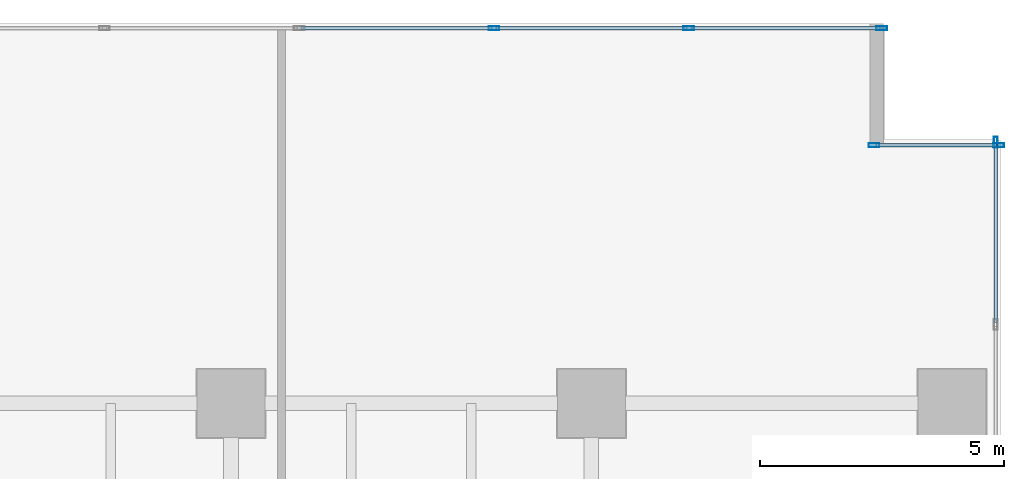
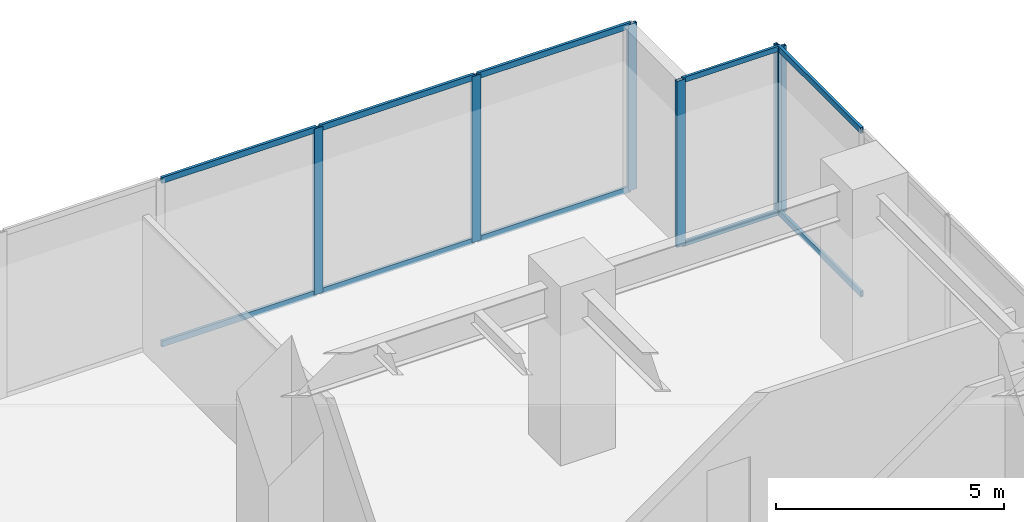
# One storey, part 22 of 33: 16 members, 3 elements without a shape of their own.
"""IFC4 building model written with IfcOpenShell, lengths in metres."""

from ifc_helpers import new_model, si_unit, direction, frame, origin, origin_2d, place, context, subcontext, project, spatial, hollow_rectangle, extrude, source, transform, mapped, material, layer, layer_set, material_profile, profile_set, type_object, type_shapes, element, aggregate, save


model = new_model("IFC4")

# Units and contexts
model_context = context("Model", 3, precision=1e-05, world=origin(), true_north=direction((0.0, 1.0)))
body_context = subcontext(model_context, "Body", "Model", "MODEL_VIEW")
ifc_project = project(units=[si_unit("LENGTHUNIT", "METRE"), si_unit("AREAUNIT", "SQUARE_METRE"), si_unit("VOLUMEUNIT", "CUBIC_METRE"), si_unit("PLANEANGLEUNIT", "RADIAN"), si_unit("MASSUNIT", "GRAM", prefix="KILO")], contexts=[model_context])

# Site, building, storey
site_placement = place(None, origin())
site = spatial("IfcSite", under=ifc_project, at=site_placement, CompositionType="ELEMENT")
building_placement = place(site_placement, origin())
building = spatial("IfcBuilding", under=site, at=building_placement, Name="Haelvirn Gate Laboratories", CompositionType="ELEMENT")
storey_placement = place(building_placement, frame((0.0, 0.0, 10.199951171875)))
storey = spatial("IfcBuildingStorey", under=building, at=storey_placement, Name="L03", CompositionType="ELEMENT", Elevation=10.199951171875)

# Curtain wall, members
ifc_material_1 = material(Name="Anodised bronze unitised aluminium & triple low-E glass", Category="aluminium")
ifc_layer_1 = layer(ifc_material_1, 0.18798828125, Name="CW-SYS-1")
ifc_layer_set_1 = layer_set([ifc_layer_1], Name="Anodised bronze unitised aluminium & triple low-E glass")
curtain_wall_type_1 = type_object("IfcCurtainWallType", Name="CW-SYS-1", PredefinedType="NOTDEFINED", material=ifc_layer_set_1)
curtain_wall_1_placement = place(storey_placement, origin())
curtain_wall_1 = element("IfcCurtainWall", 1, at=curtain_wall_1_placement, inside=storey, type_object=curtain_wall_type_1, Name="L03 Unitised Curtain Wall CW-L03-P1-E06-1", PredefinedType="NOTDEFINED")
ifc_material_2 = material(Name="Extruded aluminium 6063-T6 (anodised bronze)", Category="aluminium")
ifc_material_profile_1 = material_profile(ifc_material_2, hollow_rectangle(XDim=0.070068359375, YDim=0.159912109375, WallThickness=0.0048828125, at=origin_2d()), Name="CWT-160x70x5")
ifc_profile_set_1 = profile_set([ifc_material_profile_1], Name="Extruded aluminium 6063-T6 (anodised bronze)")
member_type_1 = type_object("IfcMemberType", Name="CWT-T160", PredefinedType="USERDEFINED", material=ifc_profile_set_1)
shared_shape_1 = source(origin(), body_context, "Body", "SweptSolid", [
    extrude(hollow_rectangle(XDim=0.070068359375, YDim=0.159912109375, WallThickness=0.0048828125, at=origin_2d()), origin(), (0.0, 0.0, 1.0), 3.880126953125),
])
member_1_placement = place(storey_placement, frame((69.43994140625, 49.300048828125, 0.03515625), z_axis=(1.0, 0.0, 0.0), x_axis=(0.0, 1.0, 0.0)))
member_1 = element("IfcMember", 2, at=member_1_placement, type_object=member_type_1, Name="CW1 transom 6.1", ObjectType="TRANSOM", PredefinedType="USERDEFINED", context=body_context, shape_type="MappedRepresentation", body=[
    mapped(shared_shape_1, transform((0.0, 0.0, 0.0), scale=1.0)),
])
member_2_placement = place(storey_placement, frame((69.43994140625, 49.300048828125, 4.4150390625), z_axis=(1.0, 0.0, 0.0), x_axis=(0.0, 1.0, 0.0)))
member_2 = element("IfcMember", 3, at=member_2_placement, type_object=member_type_1, Name="CW1 transom 6.2", ObjectType="TRANSOM", PredefinedType="USERDEFINED", context=body_context, shape_type="MappedRepresentation", body=[
    mapped(shared_shape_1, transform((0.0, 0.0, 0.0), scale=1.0)),
])
shared_shape_2 = source(origin(), body_context, "Body", "SweptSolid", [
    extrude(hollow_rectangle(XDim=0.070068359375, YDim=0.159912109375, WallThickness=0.0048828125, at=origin_2d()), origin(), (0.0, 0.0, 1.0), 3.920166015625),
])
member_3_placement = place(storey_placement, frame((61.43994140625, 49.300048828125, 0.03515625), z_axis=(1.0, 0.0, 0.0), x_axis=(0.0, 1.0, 0.0)))
member_3 = element("IfcMember", 4, at=member_3_placement, type_object=member_type_1, Name="CW1 transom 4.1", ObjectType="TRANSOM", PredefinedType="USERDEFINED", context=body_context, shape_type="MappedRepresentation", body=[
    mapped(shared_shape_2, transform((0.0, 0.0, 0.0), scale=1.0)),
])
member_4_placement = place(storey_placement, frame((61.43994140625, 49.300048828125, 4.4150390625), z_axis=(1.0, 0.0, 0.0), x_axis=(0.0, 1.0, 0.0)))
member_4 = element("IfcMember", 5, at=member_4_placement, type_object=member_type_1, Name="CW1 transom 4.2", ObjectType="TRANSOM", PredefinedType="USERDEFINED", context=body_context, shape_type="MappedRepresentation", body=[
    mapped(shared_shape_2, transform((0.0, 0.0, 0.0), scale=1.0)),
])
member_5_placement = place(storey_placement, frame((65.43994140625, 49.300048828125, 0.03515625), z_axis=(1.0, 0.0, 0.0), x_axis=(0.0, 1.0, 0.0)))
member_5 = element("IfcMember", 6, at=member_5_placement, type_object=member_type_1, Name="CW1 transom 5.1", ObjectType="TRANSOM", PredefinedType="USERDEFINED", context=body_context, shape_type="MappedRepresentation", body=[
    mapped(shared_shape_2, transform((0.0, 0.0, 0.0), scale=1.0)),
])
member_6_placement = place(storey_placement, frame((65.43994140625, 49.300048828125, 4.4150390625), z_axis=(1.0, 0.0, 0.0), x_axis=(0.0, 1.0, 0.0)))
member_6 = element("IfcMember", 7, at=member_6_placement, type_object=member_type_1, Name="CW1 transom 5.2", ObjectType="TRANSOM", PredefinedType="USERDEFINED", context=body_context, shape_type="MappedRepresentation", body=[
    mapped(shared_shape_2, transform((0.0, 0.0, 0.0), scale=1.0)),
])

ifc_layer_2 = layer(ifc_material_1, 0.181884765625, Name="CW-SYS-5")
ifc_layer_set_2 = layer_set([ifc_layer_2], Name="Anodised bronze unitised aluminium & triple low-E glass")
curtain_wall_type_2 = type_object("IfcCurtainWallType", Name="CW-SYS-5", PredefinedType="NOTDEFINED", material=ifc_layer_set_2)
curtain_wall_2_placement = place(storey_placement, origin())
curtain_wall_2 = element("IfcCurtainWall", 8, at=curtain_wall_2_placement, inside=storey, type_object=curtain_wall_type_2, Name="L03 Unitised Curtain Wall CW-L03-P1-E04-1", PredefinedType="NOTDEFINED")
ifc_material_profile_2 = material_profile(ifc_material_2, hollow_rectangle(XDim=0.06494140625, YDim=0.139892578125, WallThickness=0.00390625, at=origin_2d()), Name="CWT-140x65x4")
ifc_profile_set_2 = profile_set([ifc_material_profile_2], Name="Extruded aluminium 6063-T6 (anodised bronze)")
member_type_2 = type_object("IfcMemberType", Name="CWT-T140", PredefinedType="USERDEFINED", material=ifc_profile_set_2)
shared_shape_3 = source(origin(), body_context, "Body", "SweptSolid", [
    extrude(hollow_rectangle(XDim=0.06494140625, YDim=0.139892578125, WallThickness=0.00390625, at=origin_2d()), origin(), (0.0, 0.0, 1.0), 2.47998046875),
])
type_shapes(member_type_2, [shared_shape_3])
member_7_placement = place(storey_placement, frame((73.239990234375, 46.89990234375, 0.032470703125), z_axis=(1.0, 0.0, 0.0), x_axis=(0.0, 1.0, 0.0)))
member_7 = element("IfcMember", 9, at=member_7_placement, type_object=member_type_2, Name="CW5 transom 1.1", ObjectType="TRANSOM", PredefinedType="USERDEFINED", context=body_context, shape_type="MappedRepresentation", body=[
    mapped(shared_shape_3, transform((0.0, 0.0, 0.0), scale=1.0)),
])
member_8_placement = place(storey_placement, frame((73.239990234375, 46.89990234375, 4.41748046875), z_axis=(1.0, 0.0, 0.0), x_axis=(0.0, 1.0, 0.0)))
member_8 = element("IfcMember", 10, at=member_8_placement, type_object=member_type_2, Name="CW5 transom 1.2", ObjectType="TRANSOM", PredefinedType="USERDEFINED", context=body_context, shape_type="MappedRepresentation", body=[
    mapped(shared_shape_3, transform((0.0, 0.0, 0.0), scale=1.0)),
])

curtain_wall_3_placement = place(storey_placement, origin())
curtain_wall_3 = element("IfcCurtainWall", 11, at=curtain_wall_3_placement, inside=storey, type_object=curtain_wall_type_1, Name="L03 Unitised Curtain Wall CW-L03-P1-E03", PredefinedType="NOTDEFINED")
shared_shape_4 = source(origin(), body_context, "Body", "SweptSolid", [
    extrude(hollow_rectangle(XDim=0.070068359375, YDim=0.159912109375, WallThickness=0.0048828125, at=origin_2d()), origin(), (0.0, 0.0, 1.0), 3.663330078125),
])
type_shapes(member_type_1, [shared_shape_1, shared_shape_2, shared_shape_4])
member_9_placement = place(storey_placement, frame((75.699951171875, 43.256591796875, 0.03515625), z_axis=(0.0, 1.0, 0.0), x_axis=(-1.0, 0.0, 0.0)))
member_9 = element("IfcMember", 12, at=member_9_placement, type_object=member_type_1, Name="CW1 transom 12.1", ObjectType="TRANSOM", PredefinedType="USERDEFINED", context=body_context, shape_type="MappedRepresentation", body=[
    mapped(shared_shape_4, transform((0.0, 0.0, 0.0), scale=1.0)),
])
member_10_placement = place(storey_placement, frame((75.699951171875, 43.256591796875, 4.4150390625), z_axis=(0.0, 1.0, 0.0), x_axis=(-1.0, 0.0, 0.0)))
member_10 = element("IfcMember", 13, at=member_10_placement, type_object=member_type_1, Name="CW1 transom 12.2", ObjectType="TRANSOM", PredefinedType="USERDEFINED", context=body_context, shape_type="MappedRepresentation", body=[
    mapped(shared_shape_4, transform((0.0, 0.0, 0.0), scale=1.0)),
])
ifc_material_profile_3 = material_profile(ifc_material_2, hollow_rectangle(XDim=0.080078125, YDim=0.219970703125, WallThickness=0.006103515625, at=origin_2d()), Name="CWM-220x80x6")
ifc_profile_set_3 = profile_set([ifc_material_profile_3], Name="Extruded aluminium 6063-T6 (anodised bronze)")
member_type_3 = type_object("IfcMemberType", Name="CWM-T220", PredefinedType="MULLION", material=ifc_profile_set_3)
shared_shape_5 = source(origin(), body_context, "Body", "SweptSolid", [
    extrude(hollow_rectangle(XDim=0.080078125, YDim=0.219970703125, WallThickness=0.006103515625, at=origin_2d()), origin(), (0.0, 0.0, 1.0), 4.449951171875),
])
type_shapes(member_type_3, [shared_shape_5])
member_11_placement = place(storey_placement, frame((75.699951171875, 46.9599609375, 0.0), z_axis=(0.0, 0.0, 1.0), x_axis=(-1.0, 0.0, 0.0)))
member_11 = element("IfcMember", 14, at=member_11_placement, type_object=member_type_3, Name="CW1 mullion 13", PredefinedType="MULLION", context=body_context, shape_type="MappedRepresentation", body=[
    mapped(shared_shape_5, transform((0.0, 0.0, 0.0), scale=1.0)),
])
aggregate(curtain_wall_3, [member_11, member_9, member_10])

# Member
member_12_placement = place(storey_placement, frame((73.199951171875, 46.89990234375, 0.0), z_axis=(0.0, 0.0, 1.0), x_axis=(0.0, 1.0, 0.0)))
member_12 = element("IfcMember", 15, at=member_12_placement, type_object=member_type_3, Name="CW5 mullion 1", PredefinedType="MULLION", context=body_context, shape_type="MappedRepresentation", body=[
    mapped(shared_shape_5, transform((0.0, 0.0, 0.0), scale=1.0)),
])

member_13_placement = place(storey_placement, frame((75.760009765625, 46.89990234375, 0.0), z_axis=(0.0, 0.0, 1.0), x_axis=(0.0, 1.0, 0.0)))
member_13 = element("IfcMember", 16, at=member_13_placement, type_object=member_type_3, Name="CW5 mullion 2", PredefinedType="MULLION", context=body_context, shape_type="MappedRepresentation", body=[
    mapped(shared_shape_5, transform((0.0, 0.0, 0.0), scale=1.0)),
])

aggregate(curtain_wall_2, [member_12, member_13, member_7, member_8])

member_14_placement = place(storey_placement, frame((65.39990234375, 49.300048828125, 0.0), z_axis=(0.0, 0.0, 1.0), x_axis=(0.0, 1.0, 0.0)))
member_14 = element("IfcMember", 17, at=member_14_placement, type_object=member_type_3, Name="CW1 mullion 5", PredefinedType="MULLION", context=body_context, shape_type="MappedRepresentation", body=[
    mapped(shared_shape_5, transform((0.0, 0.0, 0.0), scale=1.0)),
])

member_15_placement = place(storey_placement, frame((69.39990234375, 49.300048828125, 0.0), z_axis=(0.0, 0.0, 1.0), x_axis=(0.0, 1.0, 0.0)))
member_15 = element("IfcMember", 18, at=member_15_placement, type_object=member_type_3, Name="CW1 mullion 6", PredefinedType="MULLION", context=body_context, shape_type="MappedRepresentation", body=[
    mapped(shared_shape_5, transform((0.0, 0.0, 0.0), scale=1.0)),
])

member_16_placement = place(storey_placement, frame((73.360107421875, 49.300048828125, 0.0), z_axis=(0.0, 0.0, 1.0), x_axis=(0.0, 1.0, 0.0)))
member_16 = element("IfcMember", 19, at=member_16_placement, type_object=member_type_3, Name="CW1 mullion 7", PredefinedType="MULLION", context=body_context, shape_type="MappedRepresentation", body=[
    mapped(shared_shape_5, transform((0.0, 0.0, 0.0), scale=1.0)),
])

aggregate(curtain_wall_1, [member_14, member_15, member_16, member_3, member_4, member_5, member_6, member_1, member_2])

save(model, "model.ifc")
